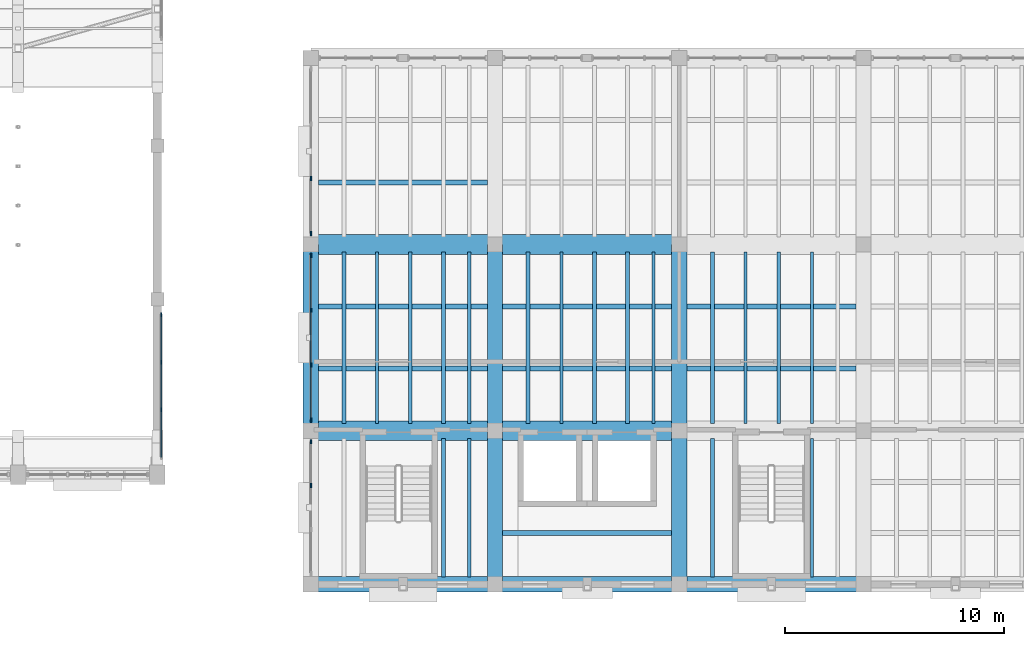
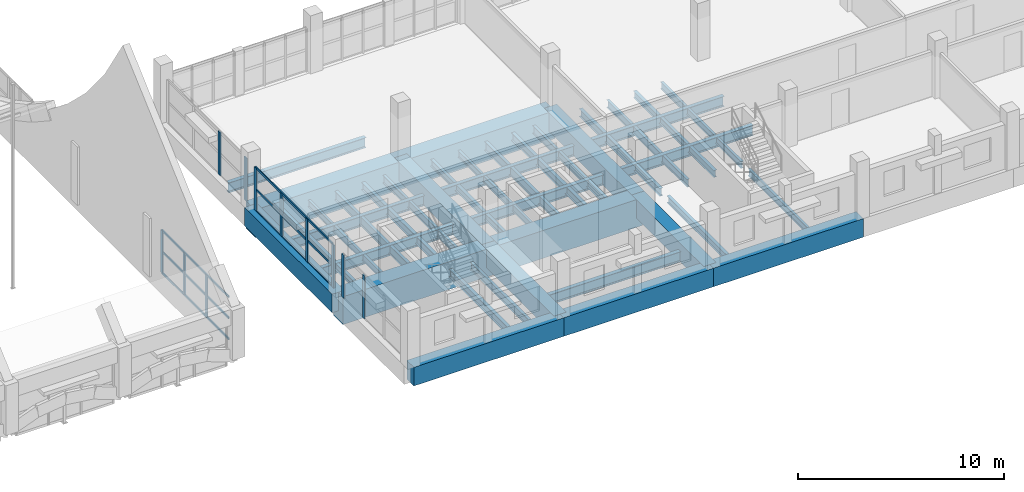
# One storey, part 33 of 77: 36 beams, 17 members, 4 elements without a shape of their own.
"""IFC4 building model written with IfcOpenShell, lengths in metres."""

from ifc_helpers import new_model, si_unit, direction, frame, origin, origin_2d, place, context, subcontext, project, spatial, rectangle, i_section, extrude, material, layer, layer_set, material_profile, profile_set, type_object, element, aggregate, save


model = new_model("IFC4")

# Units and contexts
model_context = context("Model", 3, precision=1e-05, world=origin(), true_north=direction((0.0, 1.0)))
body_context = subcontext(model_context, "Body", "Model", "MODEL_VIEW")
ifc_project = project(units=[si_unit("LENGTHUNIT", "METRE"), si_unit("AREAUNIT", "SQUARE_METRE"), si_unit("VOLUMEUNIT", "CUBIC_METRE"), si_unit("PLANEANGLEUNIT", "RADIAN"), si_unit("MASSUNIT", "GRAM", prefix="KILO")], contexts=[model_context])

# Site, building, storey
site_placement = place(None, origin())
site = spatial("IfcSite", under=ifc_project, at=site_placement, CompositionType="ELEMENT")
building_placement = place(site_placement, origin())
building = spatial("IfcBuilding", under=site, at=building_placement, Name="Trellovar Central Fire Station", CompositionType="ELEMENT")
storey_placement = place(building_placement, frame((0.0, 0.0, 5.85009765625)))
storey = spatial("IfcBuildingStorey", under=building, at=storey_placement, Name="L02", CompositionType="ELEMENT", Elevation=5.85009765625)

# Beams
ifc_material_1 = material(Name="Concrete C40/50", Category="concrete")
ifc_material_profile_1 = material_profile(ifc_material_1, rectangle(XDim=0.699951171875, YDim=1.10009765625, at=origin_2d()), Name="RC700X1100")
ifc_profile_set_1 = profile_set([ifc_material_profile_1], Name="Concrete C40/50")
beam_type_1 = type_object("IfcBeamType", Name="BM-RG1", PredefinedType="BEAM", material=ifc_profile_set_1)
beam_1_placement = place(storey_placement, frame((105.5, 9.0, -0.550048828125), z_axis=(1.0, 0.0, 0.0), x_axis=(0.0, 1.0, 0.0)))
element("IfcBeam", 1, at=beam_1_placement, inside=storey, type_object=beam_type_1, Name="L02 boulevard edge girder", PredefinedType="BEAM", context=body_context, shape_type="SweptSolid", body=[
    extrude(rectangle(XDim=0.699951171875, YDim=1.10009765625, at=origin_2d()), origin(), (0.0, 0.0, 1.0), 8.39990234375),
])
beam_2_placement = place(storey_placement, frame((113.89990234375, 9.0, -0.550048828125), z_axis=(1.0, 0.0, 0.0), x_axis=(0.0, 1.0, 0.0)))
element("IfcBeam", 2, at=beam_2_placement, inside=storey, type_object=beam_type_1, Name="L02 boulevard edge girder", PredefinedType="BEAM", context=body_context, shape_type="SweptSolid", body=[
    extrude(rectangle(XDim=0.699951171875, YDim=1.10009765625, at=origin_2d()), origin(), (0.0, 0.0, 1.0), 8.400146484375),
])
beam_3_placement = place(storey_placement, frame((122.300048828125, 9.0, -0.550048828125), z_axis=(1.0, 0.0, 0.0), x_axis=(0.0, 1.0, 0.0)))
element("IfcBeam", 3, at=beam_3_placement, inside=storey, type_object=beam_type_1, Name="L02 boulevard edge girder", PredefinedType="BEAM", context=body_context, shape_type="SweptSolid", body=[
    extrude(rectangle(XDim=0.699951171875, YDim=1.10009765625, at=origin_2d()), origin(), (0.0, 0.0, 1.0), 8.39990234375),
])
beam_4_placement = place(storey_placement, frame((105.5, 16.0, -0.550048828125), z_axis=(0.0, 1.0, 0.0), x_axis=(-1.0, 0.0, 0.0)))
element("IfcBeam", 4, at=beam_4_placement, inside=storey, type_object=beam_type_1, Name="L02 transverse transfer tie girder", PredefinedType="BEAM", context=body_context, shape_type="SweptSolid", body=[
    extrude(rectangle(XDim=0.699951171875, YDim=1.10009765625, at=origin_2d()), origin(), (0.0, 0.0, 1.0), 8.5),
])
beam_5_placement = place(storey_placement, frame((113.89990234375, 9.0, -0.550048828125), z_axis=(0.0, 1.0, 0.0), x_axis=(-1.0, 0.0, 0.0)))
element("IfcBeam", 5, at=beam_5_placement, inside=storey, type_object=beam_type_1, Name="L02 transverse transfer tie girder", PredefinedType="BEAM", context=body_context, shape_type="SweptSolid", body=[
    extrude(rectangle(XDim=0.699951171875, YDim=1.10009765625, at=origin_2d()), origin(), (0.0, 0.0, 1.0), 7.0),
])
beam_6_placement = place(storey_placement, frame((113.89990234375, 16.0, -0.550048828125), z_axis=(0.0, 1.0, 0.0), x_axis=(-1.0, 0.0, 0.0)))
element("IfcBeam", 6, at=beam_6_placement, inside=storey, type_object=beam_type_1, Name="L02 transverse transfer tie girder", PredefinedType="BEAM", context=body_context, shape_type="SweptSolid", body=[
    extrude(rectangle(XDim=0.699951171875, YDim=1.10009765625, at=origin_2d()), origin(), (0.0, 0.0, 1.0), 8.5),
])
beam_7_placement = place(storey_placement, frame((122.300048828125, 9.0, -0.550048828125), z_axis=(0.0, 1.0, 0.0), x_axis=(-1.0, 0.0, 0.0)))
element("IfcBeam", 7, at=beam_7_placement, inside=storey, type_object=beam_type_1, Name="L02 transverse transfer tie girder", PredefinedType="BEAM", context=body_context, shape_type="SweptSolid", body=[
    extrude(rectangle(XDim=0.699951171875, YDim=1.10009765625, at=origin_2d()), origin(), (0.0, 0.0, 1.0), 7.0),
])
beam_8_placement = place(storey_placement, frame((122.300048828125, 16.0, -0.550048828125), z_axis=(0.0, 1.0, 0.0), x_axis=(-1.0, 0.0, 0.0)))
element("IfcBeam", 8, at=beam_8_placement, inside=storey, type_object=beam_type_1, Name="L02 transverse transfer tie girder", PredefinedType="BEAM", context=body_context, shape_type="SweptSolid", body=[
    extrude(rectangle(XDim=0.699951171875, YDim=1.10009765625, at=origin_2d()), origin(), (0.0, 0.0, 1.0), 8.5),
])
ifc_material_2 = material(Name="Steel ASTM A992 Grade 50", Category="steel")
ifc_material_profile_2 = material_profile(ifc_material_2, i_section(OverallWidth=0.15283203125, OverallDepth=0.45458984375, WebThickness=0.008056640625, FlangeThickness=0.01318359375, FilletRadius=0.0126953125, at=origin_2d()), Name="W18X40")
ifc_profile_set_2 = profile_set([ifc_material_profile_2], Name="Steel ASTM A992 Grade 50")
beam_type_2 = type_object("IfcBeamType", Name="BM-SW10", PredefinedType="JOIST", material=ifc_profile_set_2)
beam_9_placement = place(storey_placement, frame((112.72412109375, 9.340087890625, -0.677490234375), z_axis=(0.0, 1.0, 0.0), x_axis=(-1.0, 0.0, 0.0)))
element("IfcBeam", 9, at=beam_9_placement, inside=storey, type_object=beam_type_2, Name="L02 secondary steel deck joist", PredefinedType="JOIST", context=body_context, shape_type="SweptSolid", body=[
    extrude(i_section(OverallWidth=0.15283203125, OverallDepth=0.45458984375, WebThickness=0.008056640625, FlangeThickness=0.01318359375, FilletRadius=0.0126953125, at=origin_2d()), origin(), (0.0, 0.0, 1.0), 6.31982421875),
])
for number, where, z_axis, x_axis, name in (
    (10, (112.72412109375, 16.340087890625, -0.677490234375), (0.0, 1.0, 0.0), (-1.0, 0.0, 0.0), "L02 secondary steel deck joist"),
    (11, (121.1240234375, 16.340087890625, -0.677490234375), (0.0, 1.0, 0.0), (-1.0, 0.0, 0.0), "L02 secondary steel deck joist"),
    (12, (125.323974609375, 16.340087890625, -0.677490234375), (0.0, 1.0, 0.0), (-1.0, 0.0, 0.0), "L02 secondary steel deck joist"),
):
    element("IfcBeam", number, at=place(storey_placement, frame(where, z_axis=z_axis, x_axis=x_axis)), inside=storey, type_object=beam_type_2, Name=name, PredefinedType="JOIST", context=body_context, shape_type="SweptSolid", body=[
        extrude(i_section(OverallWidth=0.15283203125, OverallDepth=0.45458984375, WebThickness=0.008056640625, FlangeThickness=0.01318359375, FilletRadius=0.0126953125, at=origin_2d()), origin(), (0.0, 0.0, 1.0), 7.81982421875),
    ])
ifc_material_3 = material(Name="Steel ASTM A992 Grade 50", Category="steel")
ifc_material_profile_3 = material_profile(ifc_material_3, i_section(OverallWidth=0.177490234375, OverallDepth=0.40380859375, WebThickness=0.007568359375, FlangeThickness=0.010986328125, FilletRadius=0.011474609375, at=origin_2d()), Name="W16X36")
ifc_profile_set_3 = profile_set([ifc_material_profile_3], Name="Steel ASTM A992 Grade 50")
beam_type_3 = type_object("IfcBeamType", Name="BM-SW11", PredefinedType="JOIST", material=ifc_profile_set_3)
for number, where, z_axis, x_axis, name in (
    (13, (107.011962890625, 16.340087890625, -0.652099609375), (0.0, 1.0, 0.0), (-1.0, 0.0, 0.0), "L02 secondary steel deck joist"),
    (14, (115.412109375, 16.340087890625, -0.652099609375), (0.0, 1.0, 0.0), (-1.0, 0.0, 0.0), "L02 secondary steel deck joist"),
):
    element("IfcBeam", number, at=place(storey_placement, frame(where, z_axis=z_axis, x_axis=x_axis)), inside=storey, type_object=beam_type_3, Name=name, PredefinedType="JOIST", context=body_context, shape_type="SweptSolid", body=[
        extrude(i_section(OverallWidth=0.177490234375, OverallDepth=0.40380859375, WebThickness=0.007568359375, FlangeThickness=0.010986328125, FilletRadius=0.011474609375, at=origin_2d()), origin(), (0.0, 0.0, 1.0), 7.81982421875),
    ])
beam_10_placement = place(storey_placement, frame((123.81201171875, 9.340087890625, -0.652099609375), z_axis=(0.0, 1.0, 0.0), x_axis=(-1.0, 0.0, 0.0)))
element("IfcBeam", 15, at=beam_10_placement, inside=storey, type_object=beam_type_3, Name="L02 secondary steel deck joist", PredefinedType="JOIST", context=body_context, shape_type="SweptSolid", body=[
    extrude(i_section(OverallWidth=0.177490234375, OverallDepth=0.40380859375, WebThickness=0.007568359375, FlangeThickness=0.010986328125, FilletRadius=0.011474609375, at=origin_2d()), origin(), (0.0, 0.0, 1.0), 6.31982421875),
])
beam_11_placement = place(storey_placement, frame((126.8359375, 16.340087890625, -0.652099609375), z_axis=(0.0, 1.0, 0.0), x_axis=(-1.0, 0.0, 0.0)))
element("IfcBeam", 16, at=beam_11_placement, inside=storey, type_object=beam_type_3, Name="L02 secondary steel deck joist", PredefinedType="JOIST", context=body_context, shape_type="SweptSolid", body=[
    extrude(i_section(OverallWidth=0.177490234375, OverallDepth=0.40380859375, WebThickness=0.007568359375, FlangeThickness=0.010986328125, FilletRadius=0.011474609375, at=origin_2d()), origin(), (0.0, 0.0, 1.0), 7.81982421875),
])
ifc_material_4 = material(Name="Steel ASTM A992 Grade 50", Category="steel")
ifc_material_profile_4 = material_profile(ifc_material_4, i_section(OverallWidth=0.140380859375, OverallDepth=0.4033203125, WebThickness=0.007080078125, FlangeThickness=0.01123046875, FilletRadius=0.011474609375, at=origin_2d()), Name="W16X31")
ifc_profile_set_4 = profile_set([ifc_material_profile_4], Name="Steel ASTM A992 Grade 50")
beam_type_4 = type_object("IfcBeamType", Name="BM-SW12", PredefinedType="JOIST", material=ifc_profile_set_4)
for number, where, z_axis, x_axis, name in (
    (17, (108.52392578125, 16.340087890625, -0.65185546875), (0.0, 1.0, 0.0), (-1.0, 0.0, 0.0), "L02 secondary steel deck joist"),
    (18, (116.924072265625, 16.340087890625, -0.65185546875), (0.0, 1.0, 0.0), (-1.0, 0.0, 0.0), "L02 secondary steel deck joist"),
):
    element("IfcBeam", number, at=place(storey_placement, frame(where, z_axis=z_axis, x_axis=x_axis)), inside=storey, type_object=beam_type_4, Name=name, PredefinedType="JOIST", context=body_context, shape_type="SweptSolid", body=[
        extrude(i_section(OverallWidth=0.140380859375, OverallDepth=0.4033203125, WebThickness=0.007080078125, FlangeThickness=0.01123046875, FilletRadius=0.011474609375, at=origin_2d()), origin(), (0.0, 0.0, 1.0), 7.81982421875),
    ])
beam_12_placement = place(storey_placement, frame((128.347900390625, 9.340087890625, -0.65185546875), z_axis=(0.0, 1.0, 0.0), x_axis=(-1.0, 0.0, 0.0)))
element("IfcBeam", 19, at=beam_12_placement, inside=storey, type_object=beam_type_4, Name="L02 secondary steel deck joist", PredefinedType="JOIST", context=body_context, shape_type="SweptSolid", body=[
    extrude(i_section(OverallWidth=0.140380859375, OverallDepth=0.4033203125, WebThickness=0.007080078125, FlangeThickness=0.01123046875, FilletRadius=0.011474609375, at=origin_2d()), origin(), (0.0, 0.0, 1.0), 6.31982421875),
])
beam_13_placement = place(storey_placement, frame((128.347900390625, 16.340087890625, -0.65185546875), z_axis=(0.0, 1.0, 0.0), x_axis=(-1.0, 0.0, 0.0)))
element("IfcBeam", 20, at=beam_13_placement, inside=storey, type_object=beam_type_4, Name="L02 secondary steel deck joist", PredefinedType="JOIST", context=body_context, shape_type="SweptSolid", body=[
    extrude(i_section(OverallWidth=0.140380859375, OverallDepth=0.4033203125, WebThickness=0.007080078125, FlangeThickness=0.01123046875, FilletRadius=0.011474609375, at=origin_2d()), origin(), (0.0, 0.0, 1.0), 7.81982421875),
])
ifc_material_5 = material(Name="Steel ASTM A992 Grade 50", Category="steel")
ifc_material_profile_5 = material_profile(ifc_material_5, i_section(OverallWidth=0.227783203125, OverallDepth=0.60205078125, WebThickness=0.010498046875, FlangeThickness=0.014892578125, FilletRadius=0.01513671875, at=origin_2d()), Name="W24X68")
ifc_profile_set_5 = profile_set([ifc_material_profile_5], Name="Steel ASTM A992 Grade 50")
beam_type_5 = type_object("IfcBeamType", Name="BM-SW6", PredefinedType="BEAM", material=ifc_profile_set_5)
for number, where, z_axis, x_axis, name in (
    (21, (105.85009765625, 18.833251953125, -0.7509765625), (1.0, 0.0, 0.0), (0.0, 1.0, 0.0), "L02 transfer deck secondary steel beam"),
    (22, (105.85009765625, 21.666748046875, -0.7509765625), (1.0, 0.0, 0.0), (0.0, 1.0, 0.0), "L02 transfer deck secondary steel beam"),
    (23, (105.85009765625, 27.333251953125, -0.7509765625), (1.0, 0.0, 0.0), (0.0, 1.0, 0.0), "L02 transfer deck secondary steel beam"),
    (24, (114.25, 11.333251953125, -0.7509765625), (1.0, 0.0, 0.0), (0.0, 1.0, 0.0), "L02 transfer deck secondary steel beam"),
    (25, (114.25, 18.833251953125, -0.7509765625), (1.0, 0.0, 0.0), (0.0, 1.0, 0.0), "L02 transfer deck secondary steel beam"),
    (26, (114.25, 21.666748046875, -0.7509765625), (1.0, 0.0, 0.0), (0.0, 1.0, 0.0), "L02 transfer deck secondary steel beam"),
):
    element("IfcBeam", number, at=place(storey_placement, frame(where, z_axis=z_axis, x_axis=x_axis)), inside=storey, type_object=beam_type_5, Name=name, PredefinedType="BEAM", context=body_context, shape_type="SweptSolid", body=[
        extrude(i_section(OverallWidth=0.227783203125, OverallDepth=0.60205078125, WebThickness=0.010498046875, FlangeThickness=0.014892578125, FilletRadius=0.01513671875, at=origin_2d()), origin(), (0.0, 0.0, 1.0), 7.699951171875),
    ])
for number, where, z_axis, x_axis, name in (
    (27, (122.64990234375, 18.833251953125, -0.7509765625), (1.0, 0.0, 0.0), (0.0, 1.0, 0.0), "L02 transfer deck secondary steel beam"),
    (28, (122.64990234375, 21.666748046875, -0.7509765625), (1.0, 0.0, 0.0), (0.0, 1.0, 0.0), "L02 transfer deck secondary steel beam"),
):
    element("IfcBeam", number, at=place(storey_placement, frame(where, z_axis=z_axis, x_axis=x_axis)), inside=storey, type_object=beam_type_5, Name=name, PredefinedType="BEAM", context=body_context, shape_type="SweptSolid", body=[
        extrude(i_section(OverallWidth=0.227783203125, OverallDepth=0.60205078125, WebThickness=0.010498046875, FlangeThickness=0.014892578125, FilletRadius=0.01513671875, at=origin_2d()), origin(), (0.0, 0.0, 1.0), 7.7001953125),
    ])
ifc_material_6 = material(Name="Steel ASTM A992 Grade 50", Category="steel")
ifc_material_profile_6 = material_profile(ifc_material_6, i_section(OverallWidth=0.166015625, OverallDepth=0.529052734375, WebThickness=0.009765625, FlangeThickness=0.013671875, FilletRadius=0.013916015625, at=origin_2d()), Name="W21X50")
ifc_profile_set_6 = profile_set([ifc_material_profile_6], Name="Steel ASTM A992 Grade 50")
beam_type_6 = type_object("IfcBeamType", Name="BM-SW8", PredefinedType="JOIST", material=ifc_profile_set_6)
for number, where, z_axis, x_axis, name in (
    (29, (110.035888671875, 16.340087890625, -0.714599609375), (0.0, 1.0, 0.0), (-1.0, 0.0, 0.0), "L02 secondary steel deck joist"),
    (30, (118.43603515625, 16.340087890625, -0.714599609375), (0.0, 1.0, 0.0), (-1.0, 0.0, 0.0), "L02 secondary steel deck joist"),
):
    element("IfcBeam", number, at=place(storey_placement, frame(where, z_axis=z_axis, x_axis=x_axis)), inside=storey, type_object=beam_type_6, Name=name, PredefinedType="JOIST", context=body_context, shape_type="SweptSolid", body=[
        extrude(i_section(OverallWidth=0.166015625, OverallDepth=0.529052734375, WebThickness=0.009765625, FlangeThickness=0.013671875, FilletRadius=0.013916015625, at=origin_2d()), origin(), (0.0, 0.0, 1.0), 7.81982421875),
    ])
ifc_material_7 = material(Name="Steel ASTM A992 Grade 50", Category="steel")
ifc_material_profile_7 = material_profile(ifc_material_7, i_section(OverallWidth=0.1904296875, OverallDepth=0.457275390625, WebThickness=0.009033203125, FlangeThickness=0.014404296875, FilletRadius=0.0126953125, at=origin_2d()), Name="W18X50")
ifc_profile_set_7 = profile_set([ifc_material_profile_7], Name="Steel ASTM A992 Grade 50")
beam_type_7 = type_object("IfcBeamType", Name="BM-SW9", PredefinedType="JOIST", material=ifc_profile_set_7)
beam_14_placement = place(storey_placement, frame((111.548095703125, 9.340087890625, -0.6787109375), z_axis=(0.0, 1.0, 0.0), x_axis=(-1.0, 0.0, 0.0)))
element("IfcBeam", 31, at=beam_14_placement, inside=storey, type_object=beam_type_7, Name="L02 secondary steel deck joist", PredefinedType="JOIST", context=body_context, shape_type="SweptSolid", body=[
    extrude(i_section(OverallWidth=0.1904296875, OverallDepth=0.457275390625, WebThickness=0.009033203125, FlangeThickness=0.014404296875, FilletRadius=0.0126953125, at=origin_2d()), origin(), (0.0, 0.0, 1.0), 6.31982421875),
])
for number, where, z_axis, x_axis, name in (
    (32, (111.548095703125, 16.340087890625, -0.6787109375), (0.0, 1.0, 0.0), (-1.0, 0.0, 0.0), "L02 secondary steel deck joist"),
    (33, (119.947998046875, 16.340087890625, -0.6787109375), (0.0, 1.0, 0.0), (-1.0, 0.0, 0.0), "L02 secondary steel deck joist"),
    (34, (123.81201171875, 16.340087890625, -0.6787109375), (0.0, 1.0, 0.0), (-1.0, 0.0, 0.0), "L02 secondary steel deck joist"),
):
    element("IfcBeam", number, at=place(storey_placement, frame(where, z_axis=z_axis, x_axis=x_axis)), inside=storey, type_object=beam_type_7, Name=name, PredefinedType="JOIST", context=body_context, shape_type="SweptSolid", body=[
        extrude(i_section(OverallWidth=0.1904296875, OverallDepth=0.457275390625, WebThickness=0.009033203125, FlangeThickness=0.014404296875, FilletRadius=0.0126953125, at=origin_2d()), origin(), (0.0, 0.0, 1.0), 7.81982421875),
    ])
ifc_material_8 = material(Name="Concrete C45/55", Category="concrete")
ifc_material_profile_8 = material_profile(ifc_material_8, rectangle(XDim=0.89990234375, YDim=1.64990234375, at=origin_2d()), Name="RC900X1650")
ifc_profile_set_8 = profile_set([ifc_material_profile_8], Name="Concrete C45/55")
beam_type_8 = type_object("IfcBeamType", Name="BM-TG1", PredefinedType="BEAM", material=ifc_profile_set_8)
for number, where, z_axis, x_axis, name in (
    (35, (105.5, 16.0, -0.8251953125), (1.0, 0.0, 0.0), (0.0, 1.0, 0.0), "L02 RC transfer girder TG-1 (105.5..122.3, Y=16.0)"),
    (36, (105.5, 24.5, -0.8251953125), (1.0, 0.0, 0.0), (0.0, 1.0, 0.0), "L02 RC transfer girder TG-1 (105.5..122.3, Y=24.5)"),
):
    element("IfcBeam", number, at=place(storey_placement, frame(where, z_axis=z_axis, x_axis=x_axis)), inside=storey, type_object=beam_type_8, Name=name, PredefinedType="BEAM", context=body_context, shape_type="SweptSolid", body=[
        extrude(rectangle(XDim=0.89990234375, YDim=1.64990234375, at=origin_2d()), origin(), (0.0, 0.0, 1.0), 16.800048828125),
    ])

# Curtain wall, members
ifc_material_9 = material(Name="Thermally broken bronze anodized aluminum", Category="aluminium")
ifc_layer_1 = layer(ifc_material_9, 0.159912109375)
ifc_layer_set_1 = layer_set([ifc_layer_1], Name="Thermally broken bronze anodized aluminum")
curtain_wall_type_1 = type_object("IfcCurtainWallType", Name="CW-12", PredefinedType="NOTDEFINED", material=ifc_layer_set_1)
curtain_wall_1_placement = place(storey_placement, origin())
curtain_wall_1 = element("IfcCurtainWall", 37, at=curtain_wall_1_placement, inside=storey, type_object=curtain_wall_type_1, Name="V5 L02 west courtyard curtain wall", PredefinedType="NOTDEFINED")
ifc_material_10 = material(Name="Thermally broken bronze anodized aluminum", Category="aluminium")
ifc_material_profile_9 = material_profile(ifc_material_10, rectangle(XDim=0.074951171875, YDim=0.199951171875, at=origin_2d()), Name="ALU75X200")
ifc_profile_set_9 = profile_set([ifc_material_profile_9], Name="Thermally broken bronze anodized aluminum")
member_type_1 = type_object("IfcMemberType", Name="CWM-1", PredefinedType="MULLION", material=ifc_profile_set_9)
member_1_placement = place(storey_placement, frame((105.5, 15.5, 0.0), z_axis=(0.0, 0.0, 1.0), x_axis=(1.0, 0.0, 0.0)))
member_1 = element("IfcMember", 38, at=member_1_placement, type_object=member_type_1, Name="CW3-L02-0071 mullion 1", PredefinedType="MULLION", context=body_context, shape_type="SweptSolid", body=[
    extrude(rectangle(XDim=0.074951171875, YDim=0.199951171875, at=origin_2d()), origin(), (0.0, 0.0, 1.0), 2.5498046875),
])
member_2_placement = place(storey_placement, frame((105.5, 13.5, 0.0), z_axis=(0.0, 0.0, 1.0), x_axis=(1.0, 0.0, 0.0)))
member_2 = element("IfcMember", 39, at=member_2_placement, type_object=member_type_1, Name="CW3-L02-0071 mullion 2", PredefinedType="MULLION", context=body_context, shape_type="SweptSolid", body=[
    extrude(rectangle(XDim=0.074951171875, YDim=0.199951171875, at=origin_2d()), origin(), (0.0, 0.0, 1.0), 2.5498046875),
])
aggregate(curtain_wall_1, [member_1, member_2])

curtain_wall_2_placement = place(storey_placement, origin())
curtain_wall_2 = element("IfcCurtainWall", 40, at=curtain_wall_2_placement, inside=storey, type_object=curtain_wall_type_1, Name="V5 L02 west courtyard curtain wall", PredefinedType="NOTDEFINED")
member_3_placement = place(storey_placement, frame((105.5, 24.0, 0.0), z_axis=(0.0, 0.0, 1.0), x_axis=(1.0, 0.0, 0.0)))
member_3 = element("IfcMember", 41, at=member_3_placement, type_object=member_type_1, Name="CW3-L02-0072 mullion 1", PredefinedType="MULLION", context=body_context, shape_type="SweptSolid", body=[
    extrude(rectangle(XDim=0.074951171875, YDim=0.199951171875, at=origin_2d()), origin(), (0.0, 0.0, 1.0), 2.5498046875),
])
member_4_placement = place(storey_placement, frame((105.5, 21.5, 0.0), z_axis=(0.0, 0.0, 1.0), x_axis=(1.0, 0.0, 0.0)))
member_4 = element("IfcMember", 42, at=member_4_placement, type_object=member_type_1, Name="CW3-L02-0072 mullion 2", PredefinedType="MULLION", context=body_context, shape_type="SweptSolid", body=[
    extrude(rectangle(XDim=0.074951171875, YDim=0.199951171875, at=origin_2d()), origin(), (0.0, 0.0, 1.0), 2.5498046875),
])
member_5_placement = place(storey_placement, frame((105.5, 19.0, 0.0), z_axis=(0.0, 0.0, 1.0), x_axis=(1.0, 0.0, 0.0)))
member_5 = element("IfcMember", 43, at=member_5_placement, type_object=member_type_1, Name="CW3-L02-0072 mullion 3", PredefinedType="MULLION", context=body_context, shape_type="SweptSolid", body=[
    extrude(rectangle(XDim=0.074951171875, YDim=0.199951171875, at=origin_2d()), origin(), (0.0, 0.0, 1.0), 2.5498046875),
])
member_6_placement = place(storey_placement, frame((105.5, 16.5, 0.0), z_axis=(0.0, 0.0, 1.0), x_axis=(1.0, 0.0, 0.0)))
member_6 = element("IfcMember", 44, at=member_6_placement, type_object=member_type_1, Name="CW3-L02-0072 mullion 4", PredefinedType="MULLION", context=body_context, shape_type="SweptSolid", body=[
    extrude(rectangle(XDim=0.074951171875, YDim=0.199951171875, at=origin_2d()), origin(), (0.0, 0.0, 1.0), 2.5498046875),
])

curtain_wall_3_placement = place(storey_placement, origin())
curtain_wall_3 = element("IfcCurtainWall", 45, at=curtain_wall_3_placement, inside=storey, type_object=curtain_wall_type_1, Name="V5 L02 west courtyard curtain wall", PredefinedType="NOTDEFINED")
member_7_placement = place(storey_placement, frame((105.5, 27.5, 0.0), z_axis=(0.0, 0.0, 1.0), x_axis=(1.0, 0.0, 0.0)))
member_7 = element("IfcMember", 46, at=member_7_placement, type_object=member_type_1, Name="CW3-L02-0073 mullion 3", PredefinedType="MULLION", context=body_context, shape_type="SweptSolid", body=[
    extrude(rectangle(XDim=0.074951171875, YDim=0.199951171875, at=origin_2d()), origin(), (0.0, 0.0, 1.0), 2.5498046875),
])
member_8_placement = place(storey_placement, frame((105.5, 25.0, 0.0), z_axis=(0.0, 0.0, 1.0), x_axis=(1.0, 0.0, 0.0)))
member_8 = element("IfcMember", 47, at=member_8_placement, type_object=member_type_1, Name="CW3-L02-0073 mullion 4", PredefinedType="MULLION", context=body_context, shape_type="SweptSolid", body=[
    extrude(rectangle(XDim=0.074951171875, YDim=0.199951171875, at=origin_2d()), origin(), (0.0, 0.0, 1.0), 2.5498046875),
])
aggregate(curtain_wall_3, [member_7, member_8])

ifc_material_11 = material(Name="Thermally broken bronze anodized aluminum", Category="aluminium")
ifc_layer_2 = layer(ifc_material_11, 0.159912109375)
ifc_layer_set_2 = layer_set([ifc_layer_2], Name="Thermally broken bronze anodized aluminum")
curtain_wall_type_2 = type_object("IfcCurtainWallType", Name="CW-15", PredefinedType="NOTDEFINED", material=ifc_layer_set_2)
curtain_wall_4_placement = place(storey_placement, origin())
curtain_wall_4 = element("IfcCurtainWall", 48, at=curtain_wall_4_placement, inside=storey, type_object=curtain_wall_type_2, Name="V1 E ski-jump gable clerestory 1", PredefinedType="NOTDEFINED")
ifc_material_12 = material(Name="Thermally broken bronze anodized aluminum", Category="aluminium")
ifc_material_profile_10 = material_profile(ifc_material_12, rectangle(XDim=0.06494140625, YDim=0.175048828125, at=origin_2d()), Name="ALU65X175")
ifc_profile_set_10 = profile_set([ifc_material_profile_10], Name="Thermally broken bronze anodized aluminum")
member_type_2 = type_object("IfcMemberType", Name="CWM-2", PredefinedType="MULLION", material=ifc_profile_set_10)
member_9_placement = place(storey_placement, frame((98.679931640625, 16.966796875, 0.349853515625), z_axis=(0.0, 0.0, 1.0), x_axis=(1.0, 0.0, 0.0)))
member_9 = element("IfcMember", 49, at=member_9_placement, type_object=member_type_2, Name="CW3-L02-0016 mullion 2", PredefinedType="MULLION", context=body_context, shape_type="SweptSolid", body=[
    extrude(rectangle(XDim=0.06494140625, YDim=0.175048828125, at=origin_2d()), origin(), (0.0, 0.0, 1.0), 2.5),
])
member_10_placement = place(storey_placement, frame((98.679931640625, 19.13330078125, 0.349853515625), z_axis=(0.0, 0.0, 1.0), x_axis=(1.0, 0.0, 0.0)))
member_10 = element("IfcMember", 50, at=member_10_placement, type_object=member_type_2, Name="CW3-L02-0016 mullion 3", PredefinedType="MULLION", context=body_context, shape_type="SweptSolid", body=[
    extrude(rectangle(XDim=0.06494140625, YDim=0.175048828125, at=origin_2d()), origin(), (0.0, 0.0, 1.0), 2.5),
])
member_11_placement = place(storey_placement, frame((98.679931640625, 21.300048828125, 0.349853515625), z_axis=(0.0, 0.0, 1.0), x_axis=(1.0, 0.0, 0.0)))
member_11 = element("IfcMember", 51, at=member_11_placement, type_object=member_type_2, Name="CW3-L02-0016 mullion 4", PredefinedType="MULLION", context=body_context, shape_type="SweptSolid", body=[
    extrude(rectangle(XDim=0.06494140625, YDim=0.175048828125, at=origin_2d()), origin(), (0.0, 0.0, 1.0), 2.5),
])

# Member
ifc_material_13 = material(Name="Thermally broken bronze anodized aluminum", Category="aluminium")
ifc_material_profile_11 = material_profile(ifc_material_13, rectangle(XDim=0.06005859375, YDim=0.139892578125, at=origin_2d()), Name="ALU60X140")
ifc_profile_set_11 = profile_set([ifc_material_profile_11], Name="Thermally broken bronze anodized aluminum")
member_type_3 = type_object("IfcMemberType", Name="CWT-1", PredefinedType="USERDEFINED", material=ifc_profile_set_11)
member_12_placement = place(storey_placement, frame((105.5, 24.0, 0.0), z_axis=(0.0, -1.0, 0.0), x_axis=(1.0, 0.0, 0.0)))
member_12 = element("IfcMember", 52, at=member_12_placement, type_object=member_type_3, Name="CW3-L02-0072 transom 1", ObjectType="TRANSOM", PredefinedType="USERDEFINED", context=body_context, shape_type="SweptSolid", body=[
    extrude(rectangle(XDim=0.06005859375, YDim=0.139892578125, at=origin_2d()), origin(), (0.0, 0.0, 1.0), 7.5),
])

member_13_placement = place(storey_placement, frame((105.5, 24.0, 1.27490234375), z_axis=(0.0, -1.0, 0.0), x_axis=(1.0, 0.0, 0.0)))
member_13 = element("IfcMember", 53, at=member_13_placement, type_object=member_type_3, Name="CW3-L02-0072 transom 2", ObjectType="TRANSOM", PredefinedType="USERDEFINED", context=body_context, shape_type="SweptSolid", body=[
    extrude(rectangle(XDim=0.06005859375, YDim=0.139892578125, at=origin_2d()), origin(), (0.0, 0.0, 1.0), 7.5),
])

member_14_placement = place(storey_placement, frame((105.5, 24.0, 2.5498046875), z_axis=(0.0, -1.0, 0.0), x_axis=(1.0, 0.0, 0.0)))
member_14 = element("IfcMember", 54, at=member_14_placement, type_object=member_type_3, Name="CW3-L02-0072 transom 3", ObjectType="TRANSOM", PredefinedType="USERDEFINED", context=body_context, shape_type="SweptSolid", body=[
    extrude(rectangle(XDim=0.06005859375, YDim=0.139892578125, at=origin_2d()), origin(), (0.0, 0.0, 1.0), 7.5),
])

aggregate(curtain_wall_2, [member_3, member_4, member_5, member_6, member_12, member_13, member_14])

ifc_material_14 = material(Name="Thermally broken bronze anodized aluminum", Category="aluminium")
ifc_material_profile_12 = material_profile(ifc_material_14, rectangle(XDim=0.06005859375, YDim=0.1201171875, at=origin_2d()), Name="ALU60X120")
ifc_profile_set_12 = profile_set([ifc_material_profile_12], Name="Thermally broken bronze anodized aluminum")
member_type_4 = type_object("IfcMemberType", Name="CWT-2", PredefinedType="USERDEFINED", material=ifc_profile_set_12)
member_15_placement = place(storey_placement, frame((98.679931640625, 14.800048828125, 0.349853515625), z_axis=(0.0, 1.0, 0.0), x_axis=(-1.0, 0.0, 0.0)))
member_15 = element("IfcMember", 55, at=member_15_placement, type_object=member_type_4, Name="CW3-L02-0016 transom 1", ObjectType="TRANSOM", PredefinedType="USERDEFINED", context=body_context, shape_type="SweptSolid", body=[
    extrude(rectangle(XDim=0.06005859375, YDim=0.1201171875, at=origin_2d()), origin(), (0.0, 0.0, 1.0), 6.5),
])

member_16_placement = place(storey_placement, frame((98.679931640625, 14.800048828125, 1.599853515625), z_axis=(0.0, 1.0, 0.0), x_axis=(-1.0, 0.0, 0.0)))
member_16 = element("IfcMember", 56, at=member_16_placement, type_object=member_type_4, Name="CW3-L02-0016 transom 2", ObjectType="TRANSOM", PredefinedType="USERDEFINED", context=body_context, shape_type="SweptSolid", body=[
    extrude(rectangle(XDim=0.06005859375, YDim=0.1201171875, at=origin_2d()), origin(), (0.0, 0.0, 1.0), 6.5),
])

member_17_placement = place(storey_placement, frame((98.679931640625, 14.800048828125, 2.849853515625), z_axis=(0.0, 1.0, 0.0), x_axis=(-1.0, 0.0, 0.0)))
member_17 = element("IfcMember", 57, at=member_17_placement, type_object=member_type_4, Name="CW3-L02-0016 transom 3", ObjectType="TRANSOM", PredefinedType="USERDEFINED", context=body_context, shape_type="SweptSolid", body=[
    extrude(rectangle(XDim=0.06005859375, YDim=0.1201171875, at=origin_2d()), origin(), (0.0, 0.0, 1.0), 6.5),
])

aggregate(curtain_wall_4, [member_9, member_10, member_11, member_15, member_16, member_17])

save(model, "model.ifc")
